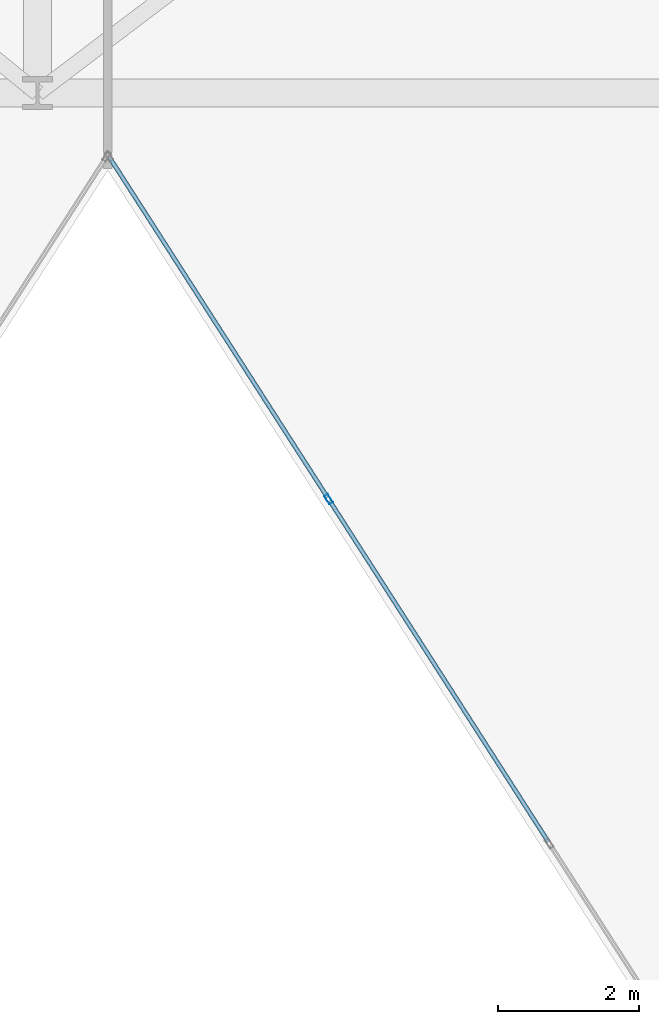
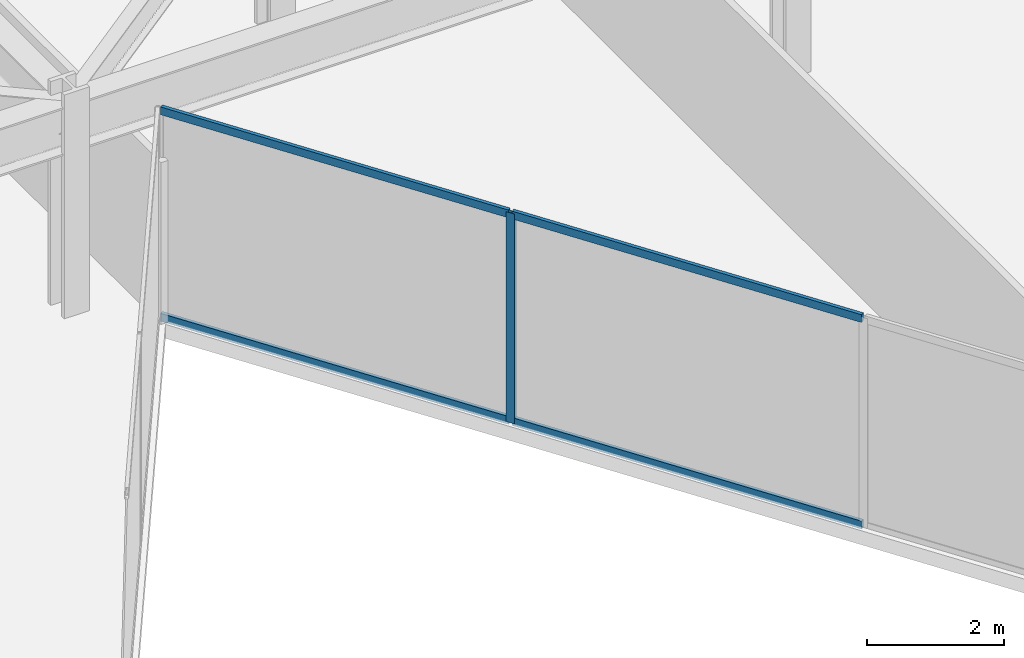
# One storey, part 12 of 24: 5 members, 1 element without a shape of its own.
"""IFC4 building model written with IfcOpenShell, lengths in metres."""

from ifc_helpers import new_model, si_unit, direction, frame, origin, origin_2d, place, context, subcontext, project, spatial, hollow_rectangle, extrude, material, layer, layer_set, material_profile, profile_set, type_object, element, aggregate, save


model = new_model("IFC4")

# Units and contexts
model_context = context("Model", 3, precision=1e-05, world=origin(), true_north=direction((0.0, 1.0)))
body_context = subcontext(model_context, "Body", "Model", "MODEL_VIEW")
ifc_project = project(units=[si_unit("LENGTHUNIT", "METRE"), si_unit("AREAUNIT", "SQUARE_METRE"), si_unit("VOLUMEUNIT", "CUBIC_METRE"), si_unit("PLANEANGLEUNIT", "RADIAN"), si_unit("MASSUNIT", "GRAM", prefix="KILO")], contexts=[model_context])

# Site, building, storey
site_placement = place(None, origin())
site = spatial("IfcSite", under=ifc_project, at=site_placement, CompositionType="ELEMENT")
building_placement = place(site_placement, origin())
building = spatial("IfcBuilding", under=site, at=building_placement, Name="Kravanh Interchange Tower", CompositionType="ELEMENT")
storey_placement = place(building_placement, frame((0.0, 0.0, 96.0)))
storey = spatial("IfcBuildingStorey", under=building, at=storey_placement, Name="L22", CompositionType="ELEMENT", Elevation=96.0)

# Curtain wall, members
ifc_material_1 = material(Name="Anodised Bronze Aluminium", Category="aluminium")
ifc_layer = layer(ifc_material_1, 0.179931640625)
ifc_layer_set = layer_set([ifc_layer], Name="Unitised Curtain Wall System CW-Z2 Mid Office")
curtain_wall_type = type_object("IfcCurtainWallType", Name="Unitised Curtain Wall System CW-Z2 Mid Office", PredefinedType="NOTDEFINED", material=ifc_layer_set)
curtain_wall_placement = place(storey_placement, origin())
curtain_wall = element("IfcCurtainWall", 1, at=curtain_wall_placement, inside=storey, type_object=curtain_wall_type, Name="L22 Unitised Curtain Wall CW-L22-04", PredefinedType="NOTDEFINED")
ifc_material_2 = material(Name="Anodised Bronze Aluminium", Category="aluminium")
ifc_material_profile_1 = material_profile(ifc_material_2, hollow_rectangle(XDim=0.06005859375, YDim=0.139892578125, WallThickness=0.00390625, at=origin_2d()), Name="ALU60X140X4")
ifc_profile_set_1 = profile_set([ifc_material_profile_1], Name="Anodised Bronze Aluminium")
member_type_1 = type_object("IfcMemberType", Name="Curtain Wall Mullion ALU60X140X4 Bronze", PredefinedType="MULLION", material=ifc_profile_set_1)
member_1_placement = place(storey_placement, frame((42.741455078125, 21.021728515625, 0.0), z_axis=(0.0, 0.0, 1.0), x_axis=(-0.841879939476, -0.539664865919, 0.0)))
member_1 = element("IfcMember", 2, at=member_1_placement, type_object=member_type_1, Name="CW-Z2 mullion 4", PredefinedType="MULLION", context=body_context, shape_type="SweptSolid", body=[
    extrude(hollow_rectangle(XDim=0.06005859375, YDim=0.139892578125, WallThickness=0.00390625, at=origin_2d()), origin(), (0.0, 0.0, 1.0), 3.75),
])
ifc_material_3 = material(Name="Anodised Bronze Aluminium", Category="aluminium")
ifc_material_profile_2 = material_profile(ifc_material_3, hollow_rectangle(XDim=0.06005859375, YDim=0.139892578125, WallThickness=0.00390625, at=origin_2d()), Name="ALU60X140X4")
ifc_profile_set_2 = profile_set([ifc_material_profile_2], Name="Anodised Bronze Aluminium")
member_type_2 = type_object("IfcMemberType", Name="Curtain Wall Transom ALU60X140X4 Bronze", PredefinedType="USERDEFINED", material=ifc_profile_set_2)
member_2_placement = place(storey_placement, frame((45.86669921875, 16.146484375, 0.030029296875), z_axis=(-0.539677666788, 0.84187173368, 0.0), x_axis=(-0.84187173368, -0.539677666788, 0.0)))
member_2 = element("IfcMember", 3, at=member_2_placement, type_object=member_type_2, Name="CW-Z2 transom 3.1", ObjectType="TRANSOM", PredefinedType="USERDEFINED", context=body_context, shape_type="SweptSolid", body=[
    extrude(hollow_rectangle(XDim=0.06005859375, YDim=0.139892578125, WallThickness=0.00390625, at=origin_2d()), origin(), (0.0, 0.0, 1.0), 5.760986328125),
])
member_3_placement = place(storey_placement, frame((45.86669921875, 16.146484375, 3.719970703125), z_axis=(-0.539677666788, 0.84187173368, 0.0), x_axis=(-0.84187173368, -0.539677666788, 0.0)))
member_3 = element("IfcMember", 4, at=member_3_placement, type_object=member_type_2, Name="CW-Z2 transom 3.2", ObjectType="TRANSOM", PredefinedType="USERDEFINED", context=body_context, shape_type="SweptSolid", body=[
    extrude(hollow_rectangle(XDim=0.06005859375, YDim=0.139892578125, WallThickness=0.00390625, at=origin_2d()), origin(), (0.0, 0.0, 1.0), 5.760986328125),
])
member_4_placement = place(storey_placement, frame((42.72509765625, 21.047119140625, 0.030029296875), z_axis=(-0.53966766312, 0.841878146398, 0.0), x_axis=(-0.841878146398, -0.53966766312, 0.0)))
member_4 = element("IfcMember", 5, at=member_4_placement, type_object=member_type_2, Name="CW-Z2 transom 4.1", ObjectType="TRANSOM", PredefinedType="USERDEFINED", context=body_context, shape_type="SweptSolid", body=[
    extrude(hollow_rectangle(XDim=0.06005859375, YDim=0.139892578125, WallThickness=0.00390625, at=origin_2d()), origin(), (0.0, 0.0, 1.0), 5.73095703125),
])
member_5_placement = place(storey_placement, frame((42.72509765625, 21.047119140625, 3.719970703125), z_axis=(-0.53966766312, 0.841878146398, 0.0), x_axis=(-0.841878146398, -0.53966766312, 0.0)))
member_5 = element("IfcMember", 6, at=member_5_placement, type_object=member_type_2, Name="CW-Z2 transom 4.2", ObjectType="TRANSOM", PredefinedType="USERDEFINED", context=body_context, shape_type="SweptSolid", body=[
    extrude(hollow_rectangle(XDim=0.06005859375, YDim=0.139892578125, WallThickness=0.00390625, at=origin_2d()), origin(), (0.0, 0.0, 1.0), 5.73095703125),
])
aggregate(curtain_wall, [member_1, member_2, member_3, member_4, member_5])

save(model, "model.ifc")
